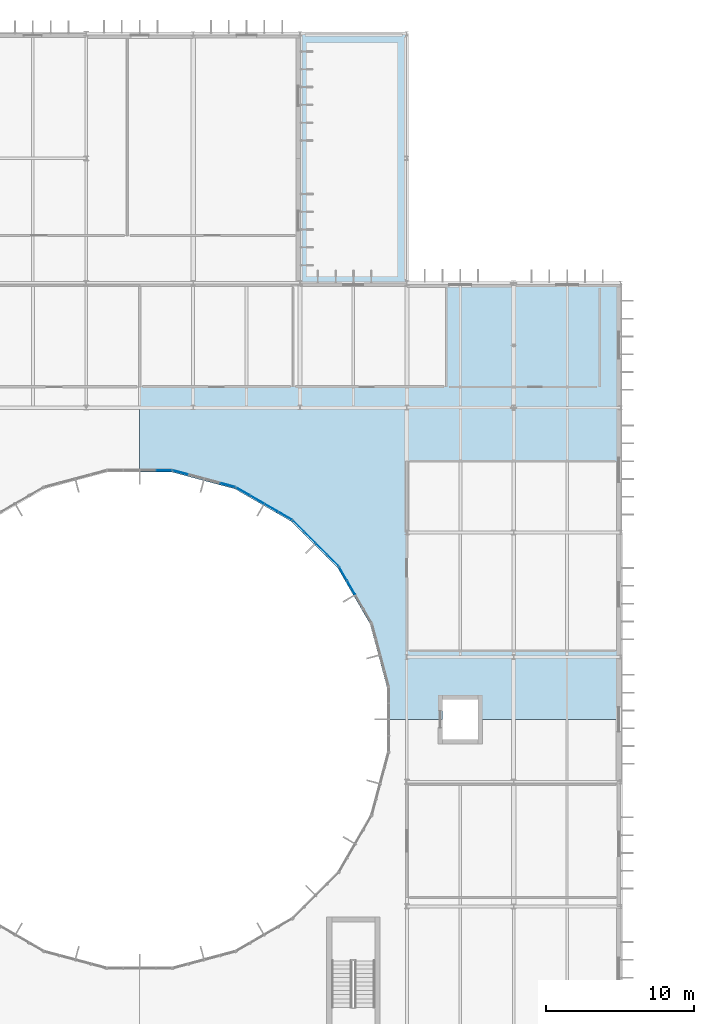
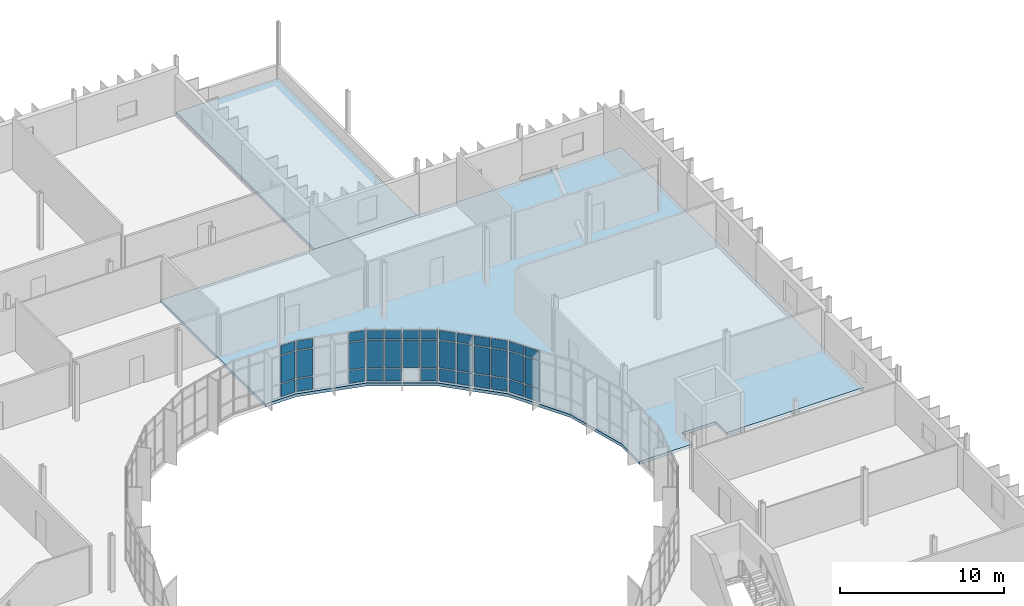
# One storey, part 83 of 119: 38 plates, 2 slabs, 5 elements without a shape of their own.
"""IFC4 building model written with IfcOpenShell, lengths in metres."""

from ifc_helpers import new_model, si_unit, direction, frame, origin, origin_2d, place, context, subcontext, project, spatial, polyline, rectangle, outline, extrude, material, layer, layer_set, type_object, element, aggregate, save


model = new_model("IFC4")

# Units and contexts
model_context = context("Model", 3, precision=1e-05, world=origin(), true_north=direction((0.0, 1.0)))
body_context = subcontext(model_context, "Body", "Model", "MODEL_VIEW")
ifc_project = project(units=[si_unit("LENGTHUNIT", "METRE"), si_unit("AREAUNIT", "SQUARE_METRE"), si_unit("VOLUMEUNIT", "CUBIC_METRE"), si_unit("PLANEANGLEUNIT", "RADIAN"), si_unit("MASSUNIT", "GRAM", prefix="KILO")], contexts=[model_context])

# Site, building, storey
site_placement = place(None, origin())
site = spatial("IfcSite", under=ifc_project, at=site_placement, CompositionType="ELEMENT")
building_placement = place(site_placement, origin())
building = spatial("IfcBuilding", under=site, at=building_placement, Name="Qelthora Terrace Specialist Clinic", CompositionType="ELEMENT")
storey_placement = place(building_placement, frame((0.0, 0.0, 4.800048828125)))
storey = spatial("IfcBuildingStorey", under=building, at=storey_placement, Name="L01", CompositionType="ELEMENT", Elevation=4.800048828125)

# Curtain wall, plates
ifc_material_1 = material(Name="Aluminium anodized bronze", Category="aluminium")
curtain_wall_type = type_object("IfcCurtainWallType", Name="CW-CRTE-UPP", PredefinedType="NOTDEFINED", material=ifc_material_1)
curtain_wall_1_placement = place(storey_placement, origin())
curtain_wall_1 = element("IfcCurtainWall", 1, at=curtain_wall_1_placement, inside=storey, type_object=curtain_wall_type, Name="Curtain wall CW-CE-L01-02", PredefinedType="NOTDEFINED")
ifc_material_2 = material(Name="Low-E triple-silver insulating glass", Category="glass")
ifc_layer_1 = layer(ifc_material_2, 0.035888671875)
ifc_layer_set_1 = layer_set([ifc_layer_1], Name="Low-E triple-silver insulating glass")
plate_type = type_object("IfcPlateType", Name="CWP-IGU-36", PredefinedType="CURTAIN_PANEL", material=ifc_layer_set_1)
plate_1_placement = place(storey_placement, frame((140.254638671875, 71.86279296875, 0.0849609375), z_axis=(0.0, 0.0, 1.0), x_axis=(-0.5, 0.866025403784, 0.0)))
plate_1 = element("IfcPlate", 2, at=plate_1_placement, type_object=plate_type, Name="CW-CE-L01-02 glazed panel 7", PredefinedType="CURTAIN_PANEL", context=body_context, shape_type="SweptSolid", body=[
    extrude(rectangle(XDim=0.996337890625, YDim=0.035888671875, at=origin_2d()), origin(), (0.0, 0.0, 1.0), 0.919921875),
])
plate_2_placement = place(storey_placement, frame((140.254638671875, 71.86279296875, 1.094970703125), z_axis=(0.0, 0.0, 1.0), x_axis=(-0.5, 0.866025403784, 0.0)))
plate_2 = element("IfcPlate", 3, at=plate_2_placement, type_object=plate_type, Name="CW-CE-L01-02 glazed panel 8", PredefinedType="CURTAIN_PANEL", context=body_context, shape_type="SweptSolid", body=[
    extrude(rectangle(XDim=0.996337890625, YDim=0.035888671875, at=origin_2d()), origin(), (0.0, 0.0, 1.0), 2.0048828125),
])
plate_3_placement = place(storey_placement, frame((140.254638671875, 71.86279296875, 3.18994140625), z_axis=(0.0, 0.0, 1.0), x_axis=(-0.5, 0.866025403784, 0.0)))
plate_3 = element("IfcPlate", 4, at=plate_3_placement, type_object=plate_type, Name="CW-CE-L01-02 glazed panel 9", PredefinedType="CURTAIN_PANEL", context=body_context, shape_type="SweptSolid", body=[
    extrude(rectangle(XDim=0.996337890625, YDim=0.035888671875, at=origin_2d()), origin(), (0.0, 0.0, 1.0), 0.669921875),
])
plate_4_placement = place(storey_placement, frame((139.706298828125, 72.8125, 0.0849609375), z_axis=(0.0, 0.0, 1.0), x_axis=(-0.5, 0.866025403784, 0.0)))
plate_4 = element("IfcPlate", 5, at=plate_4_placement, type_object=plate_type, Name="CW-CE-L01-02 glazed panel 10", PredefinedType="CURTAIN_PANEL", context=body_context, shape_type="SweptSolid", body=[
    extrude(rectangle(XDim=0.996337890625, YDim=0.035888671875, at=origin_2d()), origin(), (0.0, 0.0, 1.0), 0.919921875),
])
plate_5_placement = place(storey_placement, frame((139.706298828125, 72.8125, 1.094970703125), z_axis=(0.0, 0.0, 1.0), x_axis=(-0.5, 0.866025403784, 0.0)))
plate_5 = element("IfcPlate", 6, at=plate_5_placement, type_object=plate_type, Name="CW-CE-L01-02 glazed panel 11", PredefinedType="CURTAIN_PANEL", context=body_context, shape_type="SweptSolid", body=[
    extrude(rectangle(XDim=0.996337890625, YDim=0.035888671875, at=origin_2d()), origin(), (0.0, 0.0, 1.0), 2.0048828125),
])
plate_6_placement = place(storey_placement, frame((139.706298828125, 72.8125, 3.18994140625), z_axis=(0.0, 0.0, 1.0), x_axis=(-0.5, 0.866025403784, 0.0)))
plate_6 = element("IfcPlate", 7, at=plate_6_placement, type_object=plate_type, Name="CW-CE-L01-02 glazed panel 12", PredefinedType="CURTAIN_PANEL", context=body_context, shape_type="SweptSolid", body=[
    extrude(rectangle(XDim=0.996337890625, YDim=0.035888671875, at=origin_2d()), origin(), (0.0, 0.0, 1.0), 0.669921875),
])
aggregate(curtain_wall_1, [plate_1, plate_2, plate_3, plate_4, plate_5, plate_6])

curtain_wall_2_placement = place(storey_placement, origin())
curtain_wall_2 = element("IfcCurtainWall", 8, at=curtain_wall_2_placement, inside=storey, type_object=curtain_wall_type, Name="Curtain wall CW-CE-L01-03", PredefinedType="NOTDEFINED")
plate_7_placement = place(storey_placement, frame((139.025634765625, 73.69970703125, 0.0849609375), z_axis=(0.0, 0.0, 1.0), x_axis=(-0.707106781187, 0.707106781187, 0.0)))
plate_7 = element("IfcPlate", 9, at=plate_7_placement, type_object=plate_type, Name="CW-CE-L01-03 glazed panel 1", PredefinedType="CURTAIN_PANEL", context=body_context, shape_type="SweptSolid", body=[
    extrude(rectangle(XDim=0.996337890625, YDim=0.035888671875, at=origin_2d()), origin(), (0.0, 0.0, 1.0), 0.919921875),
])
plate_8_placement = place(storey_placement, frame((139.025634765625, 73.69970703125, 1.094970703125), z_axis=(0.0, 0.0, 1.0), x_axis=(-0.707106781187, 0.707106781187, 0.0)))
plate_8 = element("IfcPlate", 10, at=plate_8_placement, type_object=plate_type, Name="CW-CE-L01-03 glazed panel 2", PredefinedType="CURTAIN_PANEL", context=body_context, shape_type="SweptSolid", body=[
    extrude(rectangle(XDim=0.996337890625, YDim=0.035888671875, at=origin_2d()), origin(), (0.0, 0.0, 1.0), 2.0048828125),
])
plate_9_placement = place(storey_placement, frame((139.025634765625, 73.69970703125, 3.18994140625), z_axis=(0.0, 0.0, 1.0), x_axis=(-0.707106781187, 0.707106781187, 0.0)))
plate_9 = element("IfcPlate", 11, at=plate_9_placement, type_object=plate_type, Name="CW-CE-L01-03 glazed panel 3", PredefinedType="CURTAIN_PANEL", context=body_context, shape_type="SweptSolid", body=[
    extrude(rectangle(XDim=0.996337890625, YDim=0.035888671875, at=origin_2d()), origin(), (0.0, 0.0, 1.0), 0.669921875),
])
plate_10_placement = place(storey_placement, frame((138.250244140625, 74.474853515625, 0.0849609375), z_axis=(0.0, 0.0, 1.0), x_axis=(-0.707106781187, 0.707106781187, 0.0)))
plate_10 = element("IfcPlate", 12, at=plate_10_placement, type_object=plate_type, Name="CW-CE-L01-03 glazed panel 4", PredefinedType="CURTAIN_PANEL", context=body_context, shape_type="SweptSolid", body=[
    extrude(rectangle(XDim=0.996337890625, YDim=0.035888671875, at=origin_2d()), origin(), (0.0, 0.0, 1.0), 0.919921875),
])
plate_11_placement = place(storey_placement, frame((138.250244140625, 74.474853515625, 1.094970703125), z_axis=(0.0, 0.0, 1.0), x_axis=(-0.707106781187, 0.707106781187, 0.0)))
plate_11 = element("IfcPlate", 13, at=plate_11_placement, type_object=plate_type, Name="CW-CE-L01-03 glazed panel 5", PredefinedType="CURTAIN_PANEL", context=body_context, shape_type="SweptSolid", body=[
    extrude(rectangle(XDim=0.996337890625, YDim=0.035888671875, at=origin_2d()), origin(), (0.0, 0.0, 1.0), 2.0048828125),
])
plate_12_placement = place(storey_placement, frame((138.250244140625, 74.474853515625, 3.18994140625), z_axis=(0.0, 0.0, 1.0), x_axis=(-0.707106781187, 0.707106781187, 0.0)))
plate_12 = element("IfcPlate", 14, at=plate_12_placement, type_object=plate_type, Name="CW-CE-L01-03 glazed panel 6", PredefinedType="CURTAIN_PANEL", context=body_context, shape_type="SweptSolid", body=[
    extrude(rectangle(XDim=0.996337890625, YDim=0.035888671875, at=origin_2d()), origin(), (0.0, 0.0, 1.0), 0.669921875),
])
plate_13_placement = place(storey_placement, frame((137.474853515625, 75.250244140625, 0.0849609375), z_axis=(0.0, 0.0, 1.0), x_axis=(-0.707106781187, 0.707106781187, 0.0)))
plate_13 = element("IfcPlate", 15, at=plate_13_placement, type_object=plate_type, Name="CW-CE-L01-03 glazed panel 7", PredefinedType="CURTAIN_PANEL", context=body_context, shape_type="SweptSolid", body=[
    extrude(rectangle(XDim=0.996337890625, YDim=0.035888671875, at=origin_2d()), origin(), (0.0, 0.0, 1.0), 0.919921875),
])
plate_14_placement = place(storey_placement, frame((137.474853515625, 75.250244140625, 1.094970703125), z_axis=(0.0, 0.0, 1.0), x_axis=(-0.707106781187, 0.707106781187, 0.0)))
plate_14 = element("IfcPlate", 16, at=plate_14_placement, type_object=plate_type, Name="CW-CE-L01-03 glazed panel 8", PredefinedType="CURTAIN_PANEL", context=body_context, shape_type="SweptSolid", body=[
    extrude(rectangle(XDim=0.996337890625, YDim=0.035888671875, at=origin_2d()), origin(), (0.0, 0.0, 1.0), 2.0048828125),
])
plate_15_placement = place(storey_placement, frame((137.474853515625, 75.250244140625, 3.18994140625), z_axis=(0.0, 0.0, 1.0), x_axis=(-0.707106781187, 0.707106781187, 0.0)))
plate_15 = element("IfcPlate", 17, at=plate_15_placement, type_object=plate_type, Name="CW-CE-L01-03 glazed panel 9", PredefinedType="CURTAIN_PANEL", context=body_context, shape_type="SweptSolid", body=[
    extrude(rectangle(XDim=0.996337890625, YDim=0.035888671875, at=origin_2d()), origin(), (0.0, 0.0, 1.0), 0.669921875),
])
plate_16_placement = place(storey_placement, frame((136.69970703125, 76.025634765625, 0.0849609375), z_axis=(0.0, 0.0, 1.0), x_axis=(-0.707106781187, 0.707106781187, 0.0)))
plate_16 = element("IfcPlate", 18, at=plate_16_placement, type_object=plate_type, Name="CW-CE-L01-03 glazed panel 10", PredefinedType="CURTAIN_PANEL", context=body_context, shape_type="SweptSolid", body=[
    extrude(rectangle(XDim=0.996337890625, YDim=0.035888671875, at=origin_2d()), origin(), (0.0, 0.0, 1.0), 0.919921875),
])
plate_17_placement = place(storey_placement, frame((136.69970703125, 76.025634765625, 1.094970703125), z_axis=(0.0, 0.0, 1.0), x_axis=(-0.707106781187, 0.707106781187, 0.0)))
plate_17 = element("IfcPlate", 19, at=plate_17_placement, type_object=plate_type, Name="CW-CE-L01-03 glazed panel 11", PredefinedType="CURTAIN_PANEL", context=body_context, shape_type="SweptSolid", body=[
    extrude(rectangle(XDim=0.996337890625, YDim=0.035888671875, at=origin_2d()), origin(), (0.0, 0.0, 1.0), 2.0048828125),
])
plate_18_placement = place(storey_placement, frame((136.69970703125, 76.025634765625, 3.18994140625), z_axis=(0.0, 0.0, 1.0), x_axis=(-0.707106781187, 0.707106781187, 0.0)))
plate_18 = element("IfcPlate", 20, at=plate_18_placement, type_object=plate_type, Name="CW-CE-L01-03 glazed panel 12", PredefinedType="CURTAIN_PANEL", context=body_context, shape_type="SweptSolid", body=[
    extrude(rectangle(XDim=0.996337890625, YDim=0.035888671875, at=origin_2d()), origin(), (0.0, 0.0, 1.0), 0.669921875),
])
aggregate(curtain_wall_2, [plate_7, plate_8, plate_9, plate_10, plate_11, plate_12, plate_13, plate_14, plate_15, plate_16, plate_17, plate_18])

curtain_wall_3_placement = place(storey_placement, origin())
curtain_wall_3 = element("IfcCurtainWall", 21, at=curtain_wall_3_placement, inside=storey, type_object=curtain_wall_type, Name="Curtain wall CW-CE-L01-04", PredefinedType="NOTDEFINED")
plate_19_placement = place(storey_placement, frame((135.8125, 76.706298828125, 0.0849609375), z_axis=(0.0, 0.0, 1.0), x_axis=(-0.866025403784, 0.5, 0.0)))
plate_19 = element("IfcPlate", 22, at=plate_19_placement, type_object=plate_type, Name="CW-CE-L01-04 glazed panel 1", PredefinedType="CURTAIN_PANEL", context=body_context, shape_type="SweptSolid", body=[
    extrude(rectangle(XDim=0.996337890625, YDim=0.035888671875, at=origin_2d()), origin(), (0.0, 0.0, 1.0), 0.919921875),
])
plate_20_placement = place(storey_placement, frame((135.8125, 76.706298828125, 1.094970703125), z_axis=(0.0, 0.0, 1.0), x_axis=(-0.866025403784, 0.5, 0.0)))
plate_20 = element("IfcPlate", 23, at=plate_20_placement, type_object=plate_type, Name="CW-CE-L01-04 glazed panel 2", PredefinedType="CURTAIN_PANEL", context=body_context, shape_type="SweptSolid", body=[
    extrude(rectangle(XDim=0.996337890625, YDim=0.035888671875, at=origin_2d()), origin(), (0.0, 0.0, 1.0), 2.0048828125),
])
plate_21_placement = place(storey_placement, frame((135.8125, 76.706298828125, 3.18994140625), z_axis=(0.0, 0.0, 1.0), x_axis=(-0.866025403784, 0.5, 0.0)))
plate_21 = element("IfcPlate", 24, at=plate_21_placement, type_object=plate_type, Name="CW-CE-L01-04 glazed panel 3", PredefinedType="CURTAIN_PANEL", context=body_context, shape_type="SweptSolid", body=[
    extrude(rectangle(XDim=0.996337890625, YDim=0.035888671875, at=origin_2d()), origin(), (0.0, 0.0, 1.0), 0.669921875),
])
plate_22_placement = place(storey_placement, frame((134.86279296875, 77.254638671875, 1.094970703125), z_axis=(0.0, 0.0, 1.0), x_axis=(-0.866025403784, 0.5, 0.0)))
plate_22 = element("IfcPlate", 25, at=plate_22_placement, type_object=plate_type, Name="CW-CE-L01-04 glazed panel 5", PredefinedType="CURTAIN_PANEL", context=body_context, shape_type="SweptSolid", body=[
    extrude(rectangle(XDim=0.996337890625, YDim=0.035888671875, at=origin_2d()), origin(), (0.0, 0.0, 1.0), 2.0048828125),
])
plate_23_placement = place(storey_placement, frame((134.86279296875, 77.254638671875, 3.18994140625), z_axis=(0.0, 0.0, 1.0), x_axis=(-0.866025403784, 0.5, 0.0)))
plate_23 = element("IfcPlate", 26, at=plate_23_placement, type_object=plate_type, Name="CW-CE-L01-04 glazed panel 6", PredefinedType="CURTAIN_PANEL", context=body_context, shape_type="SweptSolid", body=[
    extrude(rectangle(XDim=0.996337890625, YDim=0.035888671875, at=origin_2d()), origin(), (0.0, 0.0, 1.0), 0.669921875),
])
plate_24_placement = place(storey_placement, frame((133.913330078125, 77.802734375, 0.0849609375), z_axis=(0.0, 0.0, 1.0), x_axis=(-0.866025403784, 0.5, 0.0)))
plate_24 = element("IfcPlate", 27, at=plate_24_placement, type_object=plate_type, Name="CW-CE-L01-04 glazed panel 7", PredefinedType="CURTAIN_PANEL", context=body_context, shape_type="SweptSolid", body=[
    extrude(rectangle(XDim=0.996337890625, YDim=0.035888671875, at=origin_2d()), origin(), (0.0, 0.0, 1.0), 0.919921875),
])
plate_25_placement = place(storey_placement, frame((133.913330078125, 77.802734375, 1.094970703125), z_axis=(0.0, 0.0, 1.0), x_axis=(-0.866025403784, 0.5, 0.0)))
plate_25 = element("IfcPlate", 28, at=plate_25_placement, type_object=plate_type, Name="CW-CE-L01-04 glazed panel 8", PredefinedType="CURTAIN_PANEL", context=body_context, shape_type="SweptSolid", body=[
    extrude(rectangle(XDim=0.996337890625, YDim=0.035888671875, at=origin_2d()), origin(), (0.0, 0.0, 1.0), 2.0048828125),
])
plate_26_placement = place(storey_placement, frame((133.913330078125, 77.802734375, 3.18994140625), z_axis=(0.0, 0.0, 1.0), x_axis=(-0.866025403784, 0.5, 0.0)))
plate_26 = element("IfcPlate", 29, at=plate_26_placement, type_object=plate_type, Name="CW-CE-L01-04 glazed panel 9", PredefinedType="CURTAIN_PANEL", context=body_context, shape_type="SweptSolid", body=[
    extrude(rectangle(XDim=0.996337890625, YDim=0.035888671875, at=origin_2d()), origin(), (0.0, 0.0, 1.0), 0.669921875),
])
plate_27_placement = place(storey_placement, frame((132.9638671875, 78.35107421875, 0.0849609375), z_axis=(0.0, 0.0, 1.0), x_axis=(-0.866025403784, 0.5, 0.0)))
plate_27 = element("IfcPlate", 30, at=plate_27_placement, type_object=plate_type, Name="CW-CE-L01-04 glazed panel 10", PredefinedType="CURTAIN_PANEL", context=body_context, shape_type="SweptSolid", body=[
    extrude(rectangle(XDim=0.996337890625, YDim=0.035888671875, at=origin_2d()), origin(), (0.0, 0.0, 1.0), 0.919921875),
])
plate_28_placement = place(storey_placement, frame((132.9638671875, 78.35107421875, 1.094970703125), z_axis=(0.0, 0.0, 1.0), x_axis=(-0.866025403784, 0.5, 0.0)))
plate_28 = element("IfcPlate", 31, at=plate_28_placement, type_object=plate_type, Name="CW-CE-L01-04 glazed panel 11", PredefinedType="CURTAIN_PANEL", context=body_context, shape_type="SweptSolid", body=[
    extrude(rectangle(XDim=0.996337890625, YDim=0.035888671875, at=origin_2d()), origin(), (0.0, 0.0, 1.0), 2.0048828125),
])
plate_29_placement = place(storey_placement, frame((132.9638671875, 78.35107421875, 3.18994140625), z_axis=(0.0, 0.0, 1.0), x_axis=(-0.866025403784, 0.5, 0.0)))
plate_29 = element("IfcPlate", 32, at=plate_29_placement, type_object=plate_type, Name="CW-CE-L01-04 glazed panel 12", PredefinedType="CURTAIN_PANEL", context=body_context, shape_type="SweptSolid", body=[
    extrude(rectangle(XDim=0.996337890625, YDim=0.035888671875, at=origin_2d()), origin(), (0.0, 0.0, 1.0), 0.669921875),
])
aggregate(curtain_wall_3, [plate_19, plate_20, plate_21, plate_22, plate_23, plate_24, plate_25, plate_26, plate_27, plate_28, plate_29])

curtain_wall_4_placement = place(storey_placement, origin())
curtain_wall_4 = element("IfcCurtainWall", 33, at=curtain_wall_4_placement, inside=storey, type_object=curtain_wall_type, Name="Curtain wall CW-CE-L01-05", PredefinedType="NOTDEFINED")
plate_30_placement = place(storey_placement, frame((131.9306640625, 78.779052734375, 0.0849609375), z_axis=(0.0, 0.0, 1.0), x_axis=(-0.965925826289, 0.258819045103, 0.0)))
plate_30 = element("IfcPlate", 34, at=plate_30_placement, type_object=plate_type, Name="CW-CE-L01-05 glazed panel 1", PredefinedType="CURTAIN_PANEL", context=body_context, shape_type="SweptSolid", body=[
    extrude(rectangle(XDim=0.996337890625, YDim=0.035888671875, at=origin_2d()), origin(), (0.0, 0.0, 1.0), 0.919921875),
])
plate_31_placement = place(storey_placement, frame((131.9306640625, 78.779052734375, 1.094970703125), z_axis=(0.0, 0.0, 1.0), x_axis=(-0.965925826289, 0.258819045103, 0.0)))
plate_31 = element("IfcPlate", 35, at=plate_31_placement, type_object=plate_type, Name="CW-CE-L01-05 glazed panel 2", PredefinedType="CURTAIN_PANEL", context=body_context, shape_type="SweptSolid", body=[
    extrude(rectangle(XDim=0.996337890625, YDim=0.035888671875, at=origin_2d()), origin(), (0.0, 0.0, 1.0), 2.0048828125),
])
plate_32_placement = place(storey_placement, frame((131.9306640625, 78.779052734375, 3.18994140625), z_axis=(0.0, 0.0, 1.0), x_axis=(-0.965925826289, 0.258819045103, 0.0)))
plate_32 = element("IfcPlate", 36, at=plate_32_placement, type_object=plate_type, Name="CW-CE-L01-05 glazed panel 3", PredefinedType="CURTAIN_PANEL", context=body_context, shape_type="SweptSolid", body=[
    extrude(rectangle(XDim=0.996337890625, YDim=0.035888671875, at=origin_2d()), origin(), (0.0, 0.0, 1.0), 0.669921875),
])
plate_33_placement = place(storey_placement, frame((128.75341796875, 79.63037109375, 0.0849609375), z_axis=(0.0, 0.0, 1.0), x_axis=(-0.965925826289, 0.258819045103, 0.0)))
plate_33 = element("IfcPlate", 37, at=plate_33_placement, type_object=plate_type, Name="CW-CE-L01-05 glazed panel 10", PredefinedType="CURTAIN_PANEL", context=body_context, shape_type="SweptSolid", body=[
    extrude(rectangle(XDim=0.996337890625, YDim=0.035888671875, at=origin_2d()), origin(), (0.0, 0.0, 1.0), 0.919921875),
])
plate_34_placement = place(storey_placement, frame((128.75341796875, 79.63037109375, 1.094970703125), z_axis=(0.0, 0.0, 1.0), x_axis=(-0.965925826289, 0.258819045103, 0.0)))
plate_34 = element("IfcPlate", 38, at=plate_34_placement, type_object=plate_type, Name="CW-CE-L01-05 glazed panel 11", PredefinedType="CURTAIN_PANEL", context=body_context, shape_type="SweptSolid", body=[
    extrude(rectangle(XDim=0.996337890625, YDim=0.035888671875, at=origin_2d()), origin(), (0.0, 0.0, 1.0), 2.0048828125),
])
plate_35_placement = place(storey_placement, frame((128.75341796875, 79.63037109375, 3.18994140625), z_axis=(0.0, 0.0, 1.0), x_axis=(-0.965925826289, 0.258819045103, 0.0)))
plate_35 = element("IfcPlate", 39, at=plate_35_placement, type_object=plate_type, Name="CW-CE-L01-05 glazed panel 12", PredefinedType="CURTAIN_PANEL", context=body_context, shape_type="SweptSolid", body=[
    extrude(rectangle(XDim=0.996337890625, YDim=0.035888671875, at=origin_2d()), origin(), (0.0, 0.0, 1.0), 0.669921875),
])
aggregate(curtain_wall_4, [plate_30, plate_31, plate_32, plate_33, plate_34, plate_35])

curtain_wall_5_placement = place(storey_placement, origin())
curtain_wall_5 = element("IfcCurtainWall", 40, at=curtain_wall_5_placement, inside=storey, type_object=curtain_wall_type, Name="Curtain wall CW-CE-L01-06", PredefinedType="NOTDEFINED")
plate_36_placement = place(storey_placement, frame((127.64453125, 79.7763671875, 0.0849609375), z_axis=(0.0, 0.0, 1.0), x_axis=(-1.0, 0.0, 0.0)))
plate_36 = element("IfcPlate", 41, at=plate_36_placement, type_object=plate_type, Name="CW-CE-L01-06 glazed panel 1", PredefinedType="CURTAIN_PANEL", context=body_context, shape_type="SweptSolid", body=[
    extrude(rectangle(XDim=0.996337890625, YDim=0.035888671875, at=origin_2d()), origin(), (0.0, 0.0, 1.0), 0.919921875),
])
plate_37_placement = place(storey_placement, frame((127.64453125, 79.7763671875, 1.094970703125), z_axis=(0.0, 0.0, 1.0), x_axis=(-1.0, 0.0, 0.0)))
plate_37 = element("IfcPlate", 42, at=plate_37_placement, type_object=plate_type, Name="CW-CE-L01-06 glazed panel 2", PredefinedType="CURTAIN_PANEL", context=body_context, shape_type="SweptSolid", body=[
    extrude(rectangle(XDim=0.996337890625, YDim=0.035888671875, at=origin_2d()), origin(), (0.0, 0.0, 1.0), 2.0048828125),
])
plate_38_placement = place(storey_placement, frame((127.64453125, 79.7763671875, 3.18994140625), z_axis=(0.0, 0.0, 1.0), x_axis=(-1.0, 0.0, 0.0)))
plate_38 = element("IfcPlate", 43, at=plate_38_placement, type_object=plate_type, Name="CW-CE-L01-06 glazed panel 3", PredefinedType="CURTAIN_PANEL", context=body_context, shape_type="SweptSolid", body=[
    extrude(rectangle(XDim=0.996337890625, YDim=0.035888671875, at=origin_2d()), origin(), (0.0, 0.0, 1.0), 0.669921875),
])
aggregate(curtain_wall_5, [plate_36, plate_37, plate_38])

# Slabs
ifc_material_3 = material(Name="Concrete C30/37", Category="concrete")
ifc_layer_2 = layer(ifc_material_3, 0.219970703125)
ifc_layer_set_2 = layer_set([ifc_layer_2], Name="Concrete C30/37")
slab_type_1 = type_object("IfcSlabType", Name="SLB-FLR-220-C30", PredefinedType="FLOOR", material=ifc_layer_set_2)
slab_1_placement = place(storey_placement, frame((0.0, 0.0, -0.219970703125)))
element("IfcSlab", 44, at=slab_1_placement, inside=storey, type_object=slab_type_1, Name="L01 V4 slab SLB-L01-V4-4A", PredefinedType="FLOOR", context=body_context, shape_type="SweptSolid", body=[
    extrude(outline(polyline([(158.39990234375, 92.39990234375), (158.39990234375, 63.0), (148.800048828125, 63.0), (148.800048828125, 64.35009765625), (146.39990234375, 64.35009765625), (146.39990234375, 63.0), (142.65625, 63.0), (142.65625, 65.19287109375), (141.521240234375, 69.42919921875), (139.328369140625, 73.227294921875), (136.227294921875, 76.328369140625), (132.42919921875, 78.521240234375), (128.19287109375, 79.65625), (126.0, 79.65625), (126.0, 92.39990234375), (158.39990234375, 92.39990234375)])), origin(), (0.0, 0.0, 1.0), 0.219970703125),
])
ifc_layer_3 = layer(ifc_material_3, 0.22509765625)
ifc_layer_set_3 = layer_set([ifc_layer_3], Name="Concrete C30/37")
slab_type_2 = type_object("IfcSlabType", Name="SLB-ROOF-170-ZINC", PredefinedType="ROOF", material=ifc_layer_set_3)
slab_2_placement = place(storey_placement, frame((0.0, 0.0, -0.22509765625)))
element("IfcSlab", 45, at=slab_2_placement, inside=storey, type_object=slab_type_2, Name="Stepped wing roof slab ROOF-V6-STP1-1", PredefinedType="ROOF", context=body_context, shape_type="SweptSolid", body=[
    extrude(outline(polyline([(144.0, 109.199951171875), (144.0, 92.39990234375), (136.800048828125, 92.39990234375), (136.800048828125, 109.199951171875), (144.0, 109.199951171875)])), origin(), (0.0, 0.0, 1.0), 0.22509765625),
])

save(model, "model.ifc")
